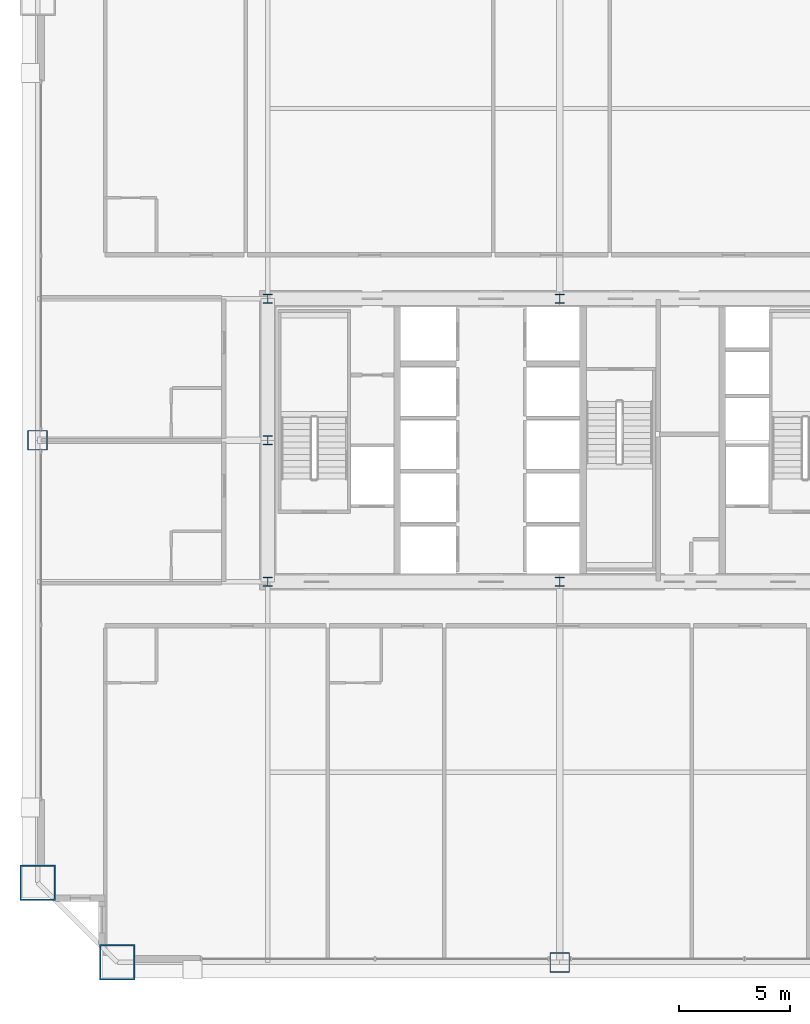
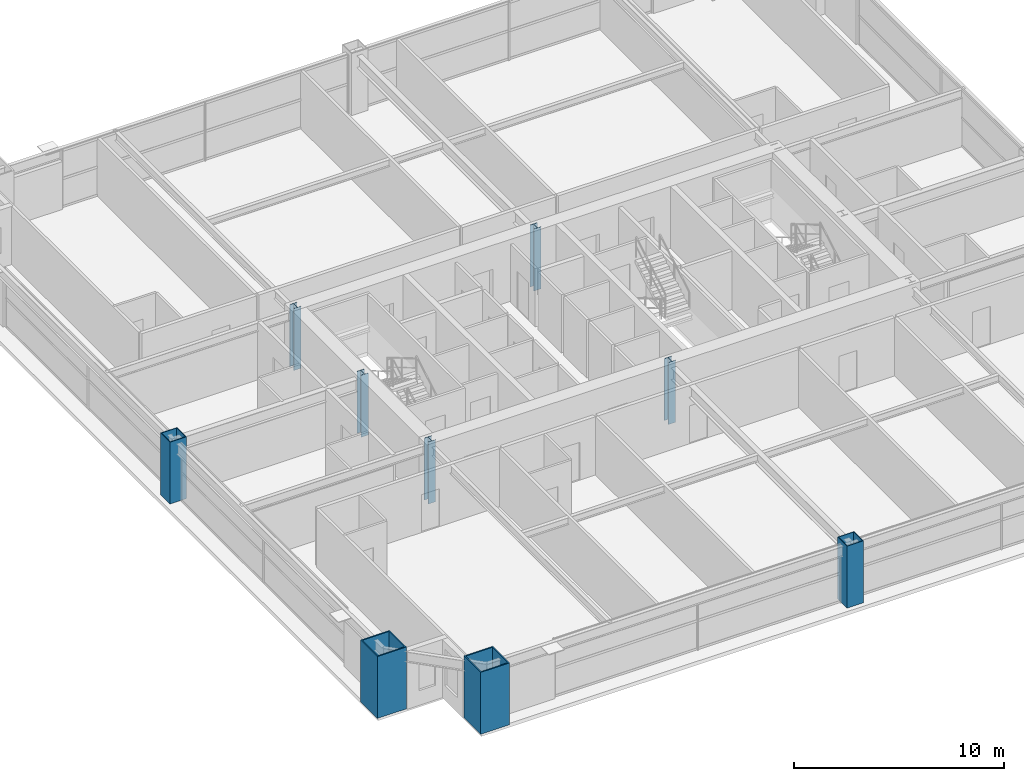
# One storey, part 1 of 39: 9 columns.
"""IFC4 building model written with IfcOpenShell, lengths in metres."""

from ifc_helpers import new_model, si_unit, direction, frame, origin, origin_2d, place, context, subcontext, project, spatial, hollow_rectangle, i_section, extrude, source, transform, mapped, material, material_profile, profile_set, type_object, element, save


model = new_model("IFC4")

# Units and contexts
model_context = context("Model", 3, precision=1e-05, world=origin(), true_north=direction((0.0, 1.0)))
body_context = subcontext(model_context, "Body", "Model", "MODEL_VIEW")
ifc_project = project(units=[si_unit("LENGTHUNIT", "METRE"), si_unit("AREAUNIT", "SQUARE_METRE"), si_unit("VOLUMEUNIT", "CUBIC_METRE"), si_unit("PLANEANGLEUNIT", "RADIAN"), si_unit("MASSUNIT", "GRAM", prefix="KILO"), si_unit("THERMODYNAMICTEMPERATUREUNIT", "KELVIN"), si_unit("POWERUNIT", "WATT")], contexts=[model_context])

# Site, building, storey
site_placement = place(None, origin())
site = spatial("IfcSite", under=ifc_project, at=site_placement, CompositionType="ELEMENT")
building_placement = place(site_placement, origin())
building = spatial("IfcBuilding", under=site, at=building_placement, Name="Yuzanri Waterfront Tower", CompositionType="ELEMENT")
storey_placement = place(building_placement, frame((0.0, 0.0, 141.60009765625)))
storey = spatial("IfcBuildingStorey", under=building, at=storey_placement, Name="L37", CompositionType="ELEMENT", Elevation=141.60009765625)

# Columns
ifc_material_1 = material(Name="Steel Q390GJC", Category="steel")
ifc_material_profile_1 = material_profile(ifc_material_1, hollow_rectangle(XDim=0.89990234375, YDim=0.89990234375, WallThickness=0.0419921875, at=origin_2d()), Name="RHS 900x900x42")
ifc_profile_set_1 = profile_set([ifc_material_profile_1], Name="Steel Q390GJC")
column_type_1 = type_object("IfcColumnType", Name="Frame Column Q390GJC RHS 900x900x42", PredefinedType="COLUMN", material=ifc_profile_set_1)
shared_shape_1 = source(origin(), body_context, "Body", "SweptSolid", [
    extrude(hollow_rectangle(XDim=0.89990234375, YDim=0.89990234375, WallThickness=0.0419921875, at=origin_2d()), origin(), (0.0, 0.0, 1.0), 3.599853515625),
])
for number, where, z_axis, x_axis, name in (
    (1, (37.0, 2.199951171875, 0.0), (0.0, 0.0, 1.0), (1.0, 0.0, 0.0), "L37 Perimeter Frame Column S2"),
    (2, (13.39990234375, 25.800048828125, 0.0), (0.0, 0.0, 1.0), (1.0, 0.0, 0.0), "L37 Perimeter Frame Column W2"),
):
    element("IfcColumn", number, at=place(storey_placement, frame(where, z_axis=z_axis, x_axis=x_axis)), inside=storey, type_object=column_type_1, Name=name, PredefinedType="COLUMN", context=body_context, shape_type="MappedRepresentation", body=[
        mapped(shared_shape_1, transform((0.0, 0.0, 0.0), scale=1.0)),
    ])
ifc_material_2 = material(Name="Steel Q420GJC", Category="steel")
ifc_material_profile_2 = material_profile(ifc_material_2, hollow_rectangle(XDim=1.60009765625, YDim=1.60009765625, WallThickness=0.070068359375, at=origin_2d()), Name="RHS 1600x1600x70")
ifc_profile_set_2 = profile_set([ifc_material_profile_2], Name="Steel Q420GJC")
column_type_2 = type_object("IfcColumnType", Name="Mega Column Q420GJC RHS 1600x1600x70", PredefinedType="COLUMN", material=ifc_profile_set_2)
shared_shape_2 = source(origin(), body_context, "Body", "SweptSolid", [
    extrude(hollow_rectangle(XDim=1.60009765625, YDim=1.60009765625, WallThickness=0.070068359375, at=origin_2d()), origin(), (0.0, 0.0, 1.0), 3.599853515625),
])
for number, where, z_axis, x_axis, name in (
    (3, (17.0, 2.199951171875, 0.0), (0.0, 0.0, 1.0), (1.0, 0.0, 0.0), "L37 Perimeter Mega Column S1"),
    (4, (13.39990234375, 5.800048828125, 0.0), (0.0, 0.0, 1.0), (1.0, 0.0, 0.0), "L37 Perimeter Mega Column W1"),
):
    element("IfcColumn", number, at=place(storey_placement, frame(where, z_axis=z_axis, x_axis=x_axis)), inside=storey, type_object=column_type_2, Name=name, PredefinedType="COLUMN", context=body_context, shape_type="MappedRepresentation", body=[
        mapped(shared_shape_2, transform((0.0, 0.0, 0.0), scale=1.0)),
    ])
ifc_material_3 = material(Name="Steel Q355B", Category="steel")
ifc_material_profile_3 = material_profile(ifc_material_3, i_section(OverallWidth=0.39990234375, OverallDepth=0.39990234375, WebThickness=0.012939453125, FlangeThickness=0.02099609375, at=origin_2d()), Name="HW 400x400x13x21")
ifc_profile_set_3 = profile_set([ifc_material_profile_3], Name="Steel Q355B")
column_type_3 = type_object("IfcColumnType", Name="Core Post Q355B HW 400x400x13x21", PredefinedType="COLUMN", material=ifc_profile_set_3)
shared_shape_3 = source(origin(), body_context, "Body", "SweptSolid", [
    extrude(i_section(OverallWidth=0.39990234375, OverallDepth=0.39990234375, WebThickness=0.012939453125, FlangeThickness=0.02099609375, at=origin_2d()), origin(), (0.0, 0.0, 1.0), 3.599853515625),
])
for number, where, z_axis, x_axis, name in (
    (5, (23.800048828125, 19.39990234375, 0.0), (0.0, 0.0, 1.0), (1.0, 0.0, 0.0), "L37 Core Boundary Column CP1"),
    (6, (37.0, 19.39990234375, 0.0), (0.0, 0.0, 1.0), (1.0, 0.0, 0.0), "L37 Core Boundary Column CP2"),
    (7, (23.800048828125, 25.800048828125, 0.0), (0.0, 0.0, 1.0), (1.0, 0.0, 0.0), "L37 Core Boundary Column CP4"),
    (8, (23.800048828125, 32.199951171875, 0.0), (0.0, 0.0, 1.0), (1.0, 0.0, 0.0), "L37 Core Boundary Column CP6"),
    (9, (37.0, 32.199951171875, 0.0), (0.0, 0.0, 1.0), (1.0, 0.0, 0.0), "L37 Core Boundary Column CP7"),
):
    element("IfcColumn", number, at=place(storey_placement, frame(where, z_axis=z_axis, x_axis=x_axis)), inside=storey, type_object=column_type_3, Name=name, PredefinedType="COLUMN", context=body_context, shape_type="MappedRepresentation", body=[
        mapped(shared_shape_3, transform((0.0, 0.0, 0.0), scale=1.0)),
    ])

save(model, "model.ifc")
